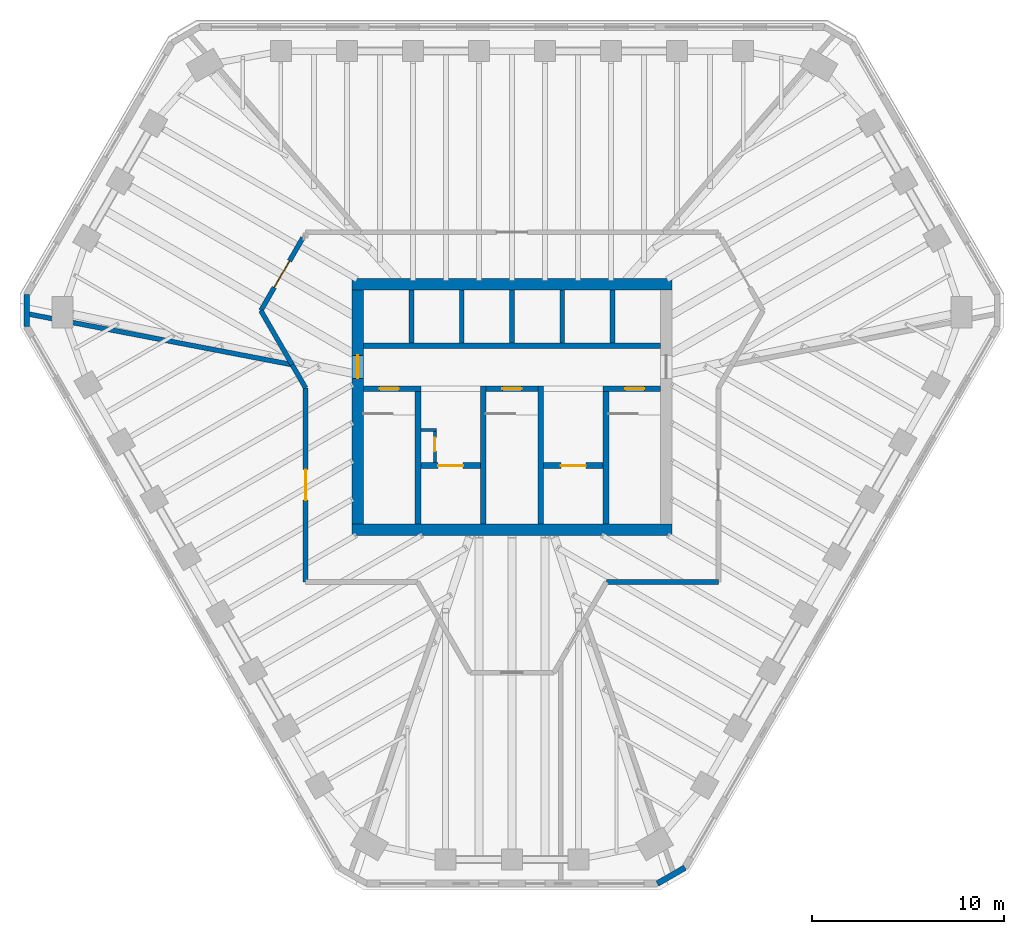
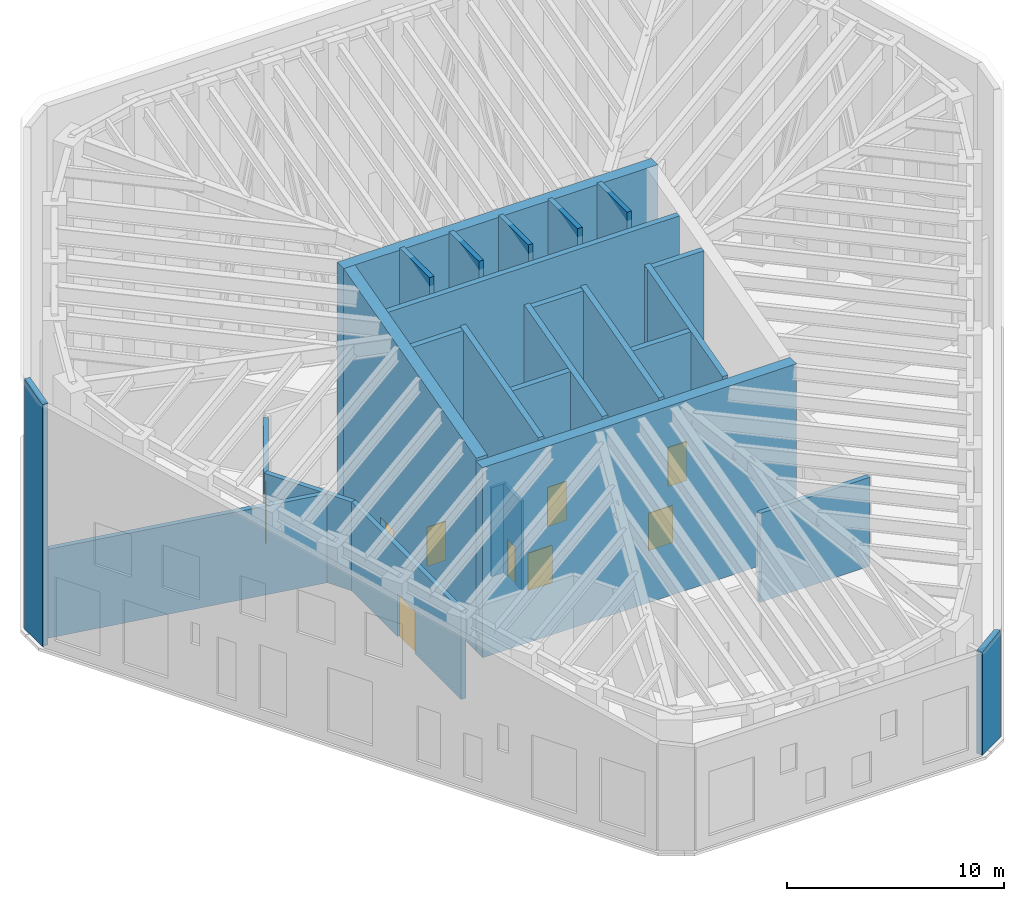
# One storey, part 5 of 9: 28 walls, 9 doors, 9 openings.
"""IFC4 building model written with IfcOpenShell, lengths in metres."""

from ifc_helpers import new_model, si_unit, direction, frame, frame_2d, origin, place, context, subcontext, project, spatial, polyline, rectangle, outline, extrude, material, layer, layer_set, type_object, element, fill, save


model = new_model("IFC4")

# Units and contexts
model_context = context("Model", 3, precision=1e-05, world=origin(), true_north=direction((0.0, 1.0)))
body_context = subcontext(model_context, "Body", "Model", "MODEL_VIEW")
ifc_project = project(units=[si_unit("LENGTHUNIT", "METRE"), si_unit("AREAUNIT", "SQUARE_METRE"), si_unit("VOLUMEUNIT", "CUBIC_METRE"), si_unit("PLANEANGLEUNIT", "RADIAN"), si_unit("MASSUNIT", "GRAM", prefix="KILO")], contexts=[model_context])

# Site, building, storey
site_placement = place(None, origin())
site = spatial("IfcSite", under=ifc_project, at=site_placement, CompositionType="ELEMENT")
building_placement = place(site_placement, origin())
building = spatial("IfcBuilding", under=site, at=building_placement, Name="Sandreach Pilgrim Tower", CompositionType="ELEMENT")
storey_placement = place(building_placement, frame((0.0, 0.0, 298.800048828125)))
storey = spatial("IfcBuildingStorey", under=building, at=storey_placement, Name="L75", CompositionType="ELEMENT", Elevation=298.800048828125)

# Walls
ifc_material_1 = material(Name="Concrete 10000 psi", Category="concrete")
ifc_layer_1 = layer(ifc_material_1, 0.300048828125)
ifc_layer_set_1 = layer_set([ifc_layer_1], Name="Core inner wall 300")
wall_type_1 = type_object("IfcWallType", Name="Core inner wall 300", PredefinedType="SHEAR", material=ifc_layer_set_1)
for number, where, z_axis, x_axis, name in (
    (1, (-4.89990234375, -6.10009765625, 0.0), (0.0, 0.0, 1.0), (0.0, 1.0, 0.0), "Core wall I0 L75"),
    (2, (-1.5, -6.10009765625, 0.0), (0.0, 0.0, 1.0), (0.0, 1.0, 0.0), "Core wall I1 L75"),
    (3, (1.5, -6.10009765625, 0.0), (0.0, 0.0, 1.0), (0.0, 1.0, 0.0), "Core wall I2 L75"),
    (4, (4.89990234375, -6.10009765625, 0.0), (0.0, 0.0, 1.0), (0.0, 1.0, 0.0), "Core wall I3 L75"),
):
    element("IfcWall", number, at=place(storey_placement, frame(where, z_axis=z_axis, x_axis=x_axis)), inside=storey, type_object=wall_type_1, Name=name, PredefinedType="SHEAR", context=body_context, shape_type="SweptSolid", body=[
        extrude(outline(polyline([(0.0, 0.0), (7.2001953125, 0.0), (7.199951171875, 12.77685546875), (0.0, 10.84765625), (0.0, 0.0)])), frame((0.0, 0.14990234375, 0.0), z_axis=(0.0, -1.0, 0.0), x_axis=(1.0, 0.0, 0.0)), (0.0, 0.0, 1.0), 0.300048828125),
    ])

# Wall, opening, door
wall_1_placement = place(storey_placement, frame((-7.75, 0.949951171875, 0.0), z_axis=(0.0, 0.0, 1.0), x_axis=(1.0, 0.0, 0.0)))
wall_1 = element("IfcWall", 5, at=wall_1_placement, inside=storey, type_object=wall_type_1, Name="Core wall SN1 L75", PredefinedType="SHEAR", context=body_context, shape_type="SweptSolid", body=[
    extrude(outline(polyline([(0.0, 0.0), (3.0, 0.0), (3.0, 12.696533203125), (0.0, 12.696533203125), (0.0, 0.0)])), frame((0.0, 0.14990234375, 0.0), z_axis=(0.0, -1.0, 0.0), x_axis=(1.0, 0.0, 0.0)), (0.0, 0.0, 1.0), 0.300048828125),
])
opening_1_placement = place(wall_1_placement, frame((0.85009765625, 0.0, 0.0)))
opening_1 = element("IfcOpeningElement", 6, at=opening_1_placement, cuts=wall_1, Name="Opening D10S-ST1", PredefinedType="OPENING", context=body_context, shape_type="SweptSolid", body=[
    extrude(rectangle(XDim=1.0, YDim=2.199951171875, at=frame_2d((0.5, 1.10009765625))), frame((0.0, 0.14990234375, 0.0), z_axis=(0.0, -1.0, 0.0), x_axis=(1.0, 0.0, 0.0)), (0.0, 0.0, 1.0), 0.300048828125),
])
ifc_material_2 = material(Name="Steel door and frame", Category="steel")
door_type_1 = type_object("IfcDoorType", Name="Stair door", OperationType="SINGLE_SWING_LEFT", PredefinedType="DOOR", material=ifc_material_2)
door_1_placement = place(opening_1_placement, origin())
door_1 = element("IfcDoor", 7, at=door_1_placement, inside=storey, type_object=door_type_1, Name="Stair door ST1 L75", OperationType="SINGLE_SWING_LEFT", OverallHeight=2.199951171875, OverallWidth=1.0, PredefinedType="DOOR", context=body_context, shape_type="SweptSolid", body=[
    extrude(rectangle(XDim=1.0, YDim=2.199951171875, at=frame_2d((0.5, 1.10009765625))), frame((0.0, 0.02490234375, 0.0), z_axis=(0.0, -1.0, 0.0), x_axis=(1.0, 0.0, 0.0)), (0.0, 0.0, 1.0), 0.050048828125),
])
fill(opening_1, door_1)

wall_2_placement = place(storey_placement, frame((-1.35009765625, 0.949951171875, 0.0), z_axis=(0.0, 0.0, 1.0), x_axis=(1.0, 0.0, 0.0)))
wall_2 = element("IfcWall", 8, at=wall_2_placement, inside=storey, type_object=wall_type_1, Name="Core wall SN3 L75", PredefinedType="SHEAR", context=body_context, shape_type="SweptSolid", body=[
    extrude(outline(polyline([(0.0, 0.0), (2.7001953125, 0.0), (2.699951171875, 12.696533203125), (0.0, 12.696533203125), (0.0, 0.0)])), frame((0.0, 0.14990234375, 0.0), z_axis=(0.0, -1.0, 0.0), x_axis=(1.0, 0.0, 0.0)), (0.0, 0.0, 1.0), 0.300048828125),
])
opening_2_placement = place(wall_2_placement, frame((0.85009765625, 0.0, 0.0)))
opening_2 = element("IfcOpeningElement", 9, at=opening_2_placement, cuts=wall_2, Name="Opening D10S-ST3", PredefinedType="OPENING", context=body_context, shape_type="SweptSolid", body=[
    extrude(rectangle(XDim=1.0, YDim=2.199951171875, at=frame_2d((0.5, 1.10009765625))), frame((0.0, 0.14990234375, 0.0), z_axis=(0.0, -1.0, 0.0), x_axis=(1.0, 0.0, 0.0)), (0.0, 0.0, 1.0), 0.300048828125),
])
door_2_placement = place(opening_2_placement, origin())
door_2 = element("IfcDoor", 10, at=door_2_placement, inside=storey, type_object=door_type_1, Name="Stair door ST3 L75", OperationType="SINGLE_SWING_LEFT", OverallHeight=2.199951171875, OverallWidth=1.0, PredefinedType="DOOR", context=body_context, shape_type="SweptSolid", body=[
    extrude(rectangle(XDim=1.0, YDim=2.199951171875, at=frame_2d((0.5, 1.10009765625))), frame((0.0, 0.02490234375, 0.0), z_axis=(0.0, -1.0, 0.0), x_axis=(1.0, 0.0, 0.0)), (0.0, 0.0, 1.0), 0.050048828125),
])
fill(opening_2, door_2)

wall_3_placement = place(storey_placement, frame((4.75, 0.949951171875, 0.0), z_axis=(0.0, 0.0, 1.0), x_axis=(1.0, 0.0, 0.0)))
wall_3 = element("IfcWall", 11, at=wall_3_placement, inside=storey, type_object=wall_type_1, Name="Core wall SN2 L75", PredefinedType="SHEAR", context=body_context, shape_type="SweptSolid", body=[
    extrude(outline(polyline([(0.0, 0.0), (3.0, 0.0), (3.0, 12.696533203125), (0.0, 12.696533203125), (0.0, 0.0)])), frame((0.0, 0.14990234375, 0.0), z_axis=(0.0, -1.0, 0.0), x_axis=(1.0, 0.0, 0.0)), (0.0, 0.0, 1.0), 0.300048828125),
])
opening_3_placement = place(wall_3_placement, frame((1.14990234375, 0.0, 0.0)))
opening_3 = element("IfcOpeningElement", 12, at=opening_3_placement, cuts=wall_3, Name="Opening D10S-ST2", PredefinedType="OPENING", context=body_context, shape_type="SweptSolid", body=[
    extrude(rectangle(XDim=1.0, YDim=2.199951171875, at=frame_2d((0.5, 1.10009765625))), frame((0.0, 0.14990234375, 0.0), z_axis=(0.0, -1.0, 0.0), x_axis=(1.0, 0.0, 0.0)), (0.0, 0.0, 1.0), 0.300048828125),
])
door_3_placement = place(opening_3_placement, origin())
door_3 = element("IfcDoor", 13, at=door_3_placement, inside=storey, type_object=door_type_1, Name="Stair door ST2 L75", OperationType="SINGLE_SWING_RIGHT", OverallHeight=2.199951171875, OverallWidth=1.0, PredefinedType="DOOR", context=body_context, shape_type="SweptSolid", body=[
    extrude(rectangle(XDim=1.0, YDim=2.199951171875, at=frame_2d((0.5, 1.10009765625))), frame((0.0, 0.02490234375, 0.0), z_axis=(0.0, -1.0, 0.0), x_axis=(1.0, 0.0, 0.0)), (0.0, 0.0, 1.0), 0.050048828125),
])
fill(opening_3, door_3)

wall_4_placement = place(storey_placement, frame((-4.75, -3.050048828125, 0.0), z_axis=(0.0, 0.0, 1.0), x_axis=(1.0, 0.0, 0.0)))
wall_4 = element("IfcWall", 14, at=wall_4_placement, inside=storey, type_object=wall_type_1, Name="Core wall FL1 L75", PredefinedType="SHEAR", context=body_context, shape_type="SweptSolid", body=[
    extrude(outline(polyline([(0.0, 0.0), (3.10009765625, 0.0), (3.10009765625, 11.624755859375), (0.0, 11.624755859375), (0.0, 0.0)])), frame((0.0, 0.14990234375, 0.0), z_axis=(0.0, -1.0, 0.0), x_axis=(1.0, 0.0, 0.0)), (0.0, 0.0, 1.0), 0.300048828125),
])
opening_4_placement = place(wall_4_placement, frame((0.89990234375, 0.0, 0.0)))
opening_4 = element("IfcOpeningElement", 15, at=opening_4_placement, cuts=wall_4, Name="Opening LD13", PredefinedType="OPENING", context=body_context, shape_type="SweptSolid", body=[
    extrude(rectangle(XDim=1.300048828125, YDim=2.10009765625, at=frame_2d((0.64990234375, 1.050048828125))), frame((0.0, 0.14990234375, 0.0), z_axis=(0.0, -1.0, 0.0), x_axis=(1.0, 0.0, 0.0)), (0.0, 0.0, 1.0), 0.300048828125),
])
ifc_material_3 = material(Name="Steel door and frame", Category="steel")
door_type_2 = type_object("IfcDoorType", Name="Fire service lift landing door", OperationType="DOUBLE_DOOR_SLIDING", PredefinedType="DOOR", material=ifc_material_3)
door_4_placement = place(opening_4_placement, origin())
door_4 = element("IfcDoor", 16, at=door_4_placement, inside=storey, type_object=door_type_2, Name="Lift landing door FS1 L75", OperationType="DOUBLE_DOOR_SLIDING", OverallHeight=2.10009765625, OverallWidth=1.300048828125, PredefinedType="DOOR", context=body_context, shape_type="SweptSolid", body=[
    extrude(rectangle(XDim=1.300048828125, YDim=2.10009765625, at=frame_2d((0.64990234375, 1.050048828125))), frame((0.0, 0.02490234375, 0.0), z_axis=(0.0, -1.0, 0.0), x_axis=(1.0, 0.0, 0.0)), (0.0, 0.0, 1.0), 0.050048828125),
])
fill(opening_4, door_4)

wall_5_placement = place(storey_placement, frame((1.64990234375, -3.050048828125, 0.0), z_axis=(0.0, 0.0, 1.0), x_axis=(1.0, 0.0, 0.0)))
wall_5 = element("IfcWall", 17, at=wall_5_placement, inside=storey, type_object=wall_type_1, Name="Core wall FL2 L75", PredefinedType="SHEAR", context=body_context, shape_type="SweptSolid", body=[
    extrude(outline(polyline([(0.0, 0.0), (3.10009765625, 0.0), (3.10009765625, 11.624755859375), (0.0, 11.624755859375), (0.0, 0.0)])), frame((0.0, 0.14990234375, 0.0), z_axis=(0.0, -1.0, 0.0), x_axis=(1.0, 0.0, 0.0)), (0.0, 0.0, 1.0), 0.300048828125),
])
opening_5_placement = place(wall_5_placement, frame((0.89990234375, 0.0, 0.0)))
opening_5 = element("IfcOpeningElement", 18, at=opening_5_placement, cuts=wall_5, Name="Opening LD13", PredefinedType="OPENING", context=body_context, shape_type="SweptSolid", body=[
    extrude(rectangle(XDim=1.300048828125, YDim=2.10009765625, at=frame_2d((0.64990234375, 1.050048828125))), frame((0.0, 0.14990234375, 0.0), z_axis=(0.0, -1.0, 0.0), x_axis=(1.0, 0.0, 0.0)), (0.0, 0.0, 1.0), 0.300048828125),
])
door_5_placement = place(opening_5_placement, origin())
door_5 = element("IfcDoor", 19, at=door_5_placement, inside=storey, type_object=door_type_2, Name="Lift landing door FS2 L75", OperationType="DOUBLE_DOOR_SLIDING", OverallHeight=2.10009765625, OverallWidth=1.300048828125, PredefinedType="DOOR", context=body_context, shape_type="SweptSolid", body=[
    extrude(rectangle(XDim=1.300048828125, YDim=2.10009765625, at=frame_2d((0.64990234375, 1.050048828125))), frame((0.0, 0.02490234375, 0.0), z_axis=(0.0, -1.0, 0.0), x_axis=(1.0, 0.0, 0.0)), (0.0, 0.0, 1.0), 0.050048828125),
])
fill(opening_5, door_5)

# Walls
wall_6_placement = place(storey_placement, frame((-7.75, 3.199951171875, 0.0), z_axis=(0.0, 0.0, 1.0), x_axis=(1.0, 0.0, 0.0)))
element("IfcWall", 20, at=wall_6_placement, inside=storey, type_object=wall_type_1, Name="Core wall PN L75", PredefinedType="SHEAR", context=body_context, shape_type="SweptSolid", body=[
    extrude(outline(polyline([(0.0, 0.0), (15.5, 0.0), (15.5, 13.299560546875), (0.0, 13.299560546875), (0.0, 0.0)])), frame((0.0, 0.14990234375, 0.0), z_axis=(0.0, -1.0, 0.0), x_axis=(1.0, 0.0, 0.0)), (0.0, 0.0, 1.0), 0.300048828125),
])
ifc_material_4 = material(Name="Concrete 10000 psi", Category="concrete")
ifc_layer_2 = layer(ifc_material_4, 0.60009765625)
ifc_layer_set_2 = layer_set([ifc_layer_2], Name="Core wall 600")
wall_type_2 = type_object("IfcWallType", Name="Core wall 600", PredefinedType="SHEAR", material=ifc_layer_set_2)
wall_7_placement = place(storey_placement, frame((-8.35009765625, 6.39990234375, 0.0), z_axis=(0.0, 0.0, 1.0), x_axis=(1.0, 0.0, 0.0)))
element("IfcWall", 21, at=wall_7_placement, inside=storey, type_object=wall_type_2, Name="Core wall N L75", PredefinedType="SHEAR", context=body_context, shape_type="SweptSolid", body=[
    extrude(outline(polyline([(0.0, 0.0), (16.7001953125, 0.0), (16.699951171875, 14.11669921875), (0.0, 14.11669921875), (0.0, 0.0)])), frame((0.0, 0.300048828125, 0.0), z_axis=(0.0, -1.0, 0.0), x_axis=(1.0, 0.0, 0.0)), (0.0, 0.0, 1.0), 0.60009765625),
])
wall_8_placement = place(storey_placement, frame((-8.35009765625, -6.39990234375, 0.0), z_axis=(0.0, 0.0, 1.0), x_axis=(1.0, 0.0, 0.0)))
element("IfcWall", 22, at=wall_8_placement, inside=storey, type_object=wall_type_2, Name="Core wall S L75", PredefinedType="SHEAR", context=body_context, shape_type="SweptSolid", body=[
    extrude(outline(polyline([(0.0, 0.0), (16.7001953125, 0.0), (16.699951171875, 10.68701171875), (0.0, 10.68701171875), (0.0, 0.0)])), frame((0.0, 0.300048828125, 0.0), z_axis=(0.0, -1.0, 0.0), x_axis=(1.0, 0.0, 0.0)), (0.0, 0.0, 1.0), 0.60009765625),
])

# Wall, opening, door
wall_9_placement = place(storey_placement, frame((-8.050048828125, -6.10009765625, 0.0), z_axis=(0.0, 0.0, 1.0), x_axis=(0.0, 1.0, 0.0)))
wall_9 = element("IfcWall", 23, at=wall_9_placement, inside=storey, type_object=wall_type_2, Name="Core wall W L75", PredefinedType="SHEAR", context=body_context, shape_type="SweptSolid", body=[
    extrude(outline(polyline([(0.0, 0.0), (12.2001953125, 0.0), (12.199951171875, 14.11669921875), (0.0, 10.84765625), (0.0, 0.0)])), frame((0.0, 0.300048828125, 0.0), z_axis=(0.0, -1.0, 0.0), x_axis=(1.0, 0.0, 0.0)), (0.0, 0.0, 1.0), 0.60009765625),
])
opening_6_placement = place(wall_9_placement, frame((7.60009765625, 0.0, 0.0)))
opening_6 = element("IfcOpeningElement", 24, at=opening_6_placement, cuts=wall_9, Name="Opening D12F-W", PredefinedType="OPENING", context=body_context, shape_type="SweptSolid", body=[
    extrude(rectangle(XDim=1.199951171875, YDim=2.199951171875, at=frame_2d((0.60009765625, 1.10009765625))), frame((0.0, 0.300048828125, 0.0), z_axis=(0.0, -1.0, 0.0), x_axis=(1.0, 0.0, 0.0)), (0.0, 0.0, 1.0), 0.60009765625),
])
ifc_material_5 = material(Name="Steel door and frame", Category="steel")
door_type_3 = type_object("IfcDoorType", Name="Fire lobby door", OperationType="SINGLE_SWING_LEFT", PredefinedType="DOOR", material=ifc_material_5)
door_6_placement = place(opening_6_placement, origin())
door_6 = element("IfcDoor", 25, at=door_6_placement, inside=storey, type_object=door_type_3, Name="Fire service lobby door W L75", OperationType="SINGLE_SWING_RIGHT", OverallHeight=2.199951171875, OverallWidth=1.199951171875, PredefinedType="DOOR", context=body_context, shape_type="SweptSolid", body=[
    extrude(rectangle(XDim=1.199951171875, YDim=2.199951171875, at=frame_2d((0.60009765625, 1.10009765625))), frame((0.0, 0.02490234375, 0.0), z_axis=(0.0, -1.0, 0.0), x_axis=(1.0, 0.0, 0.0)), (0.0, 0.0, 1.0), 0.050048828125),
])
fill(opening_6, door_6)

# Walls
ifc_material_6 = material(Name="Acoustic gypsum board wall, double frame", Category="gypsum")
ifc_layer_3 = layer(ifc_material_6, 0.25)
ifc_layer_set_3 = layer_set([ifc_layer_3], Name="Hall partition 250")
wall_type_3 = type_object("IfcWallType", Name="Hall partition 250", PredefinedType="PARTITIONING", material=ifc_layer_set_3)
wall_10_placement = place(storey_placement, frame((-25.183349609375, 4.84423828125, 0.0), z_axis=(0.0, 0.0, 1.0), x_axis=(0.982045084521, -0.188646367491, 0.0)))
element("IfcWall", 26, at=wall_10_placement, inside=storey, type_object=wall_type_3, Name="Hall partition L75-001", PredefinedType="PARTITIONING", context=body_context, shape_type="SweptSolid", body=[
    extrude(rectangle(XDim=13.964111328125, YDim=0.25, at=frame_2d((6.98193359375, 0.0))), origin(), (0.0, 0.0, 1.0), 5.0),
])
wall_11_placement = place(storey_placement, frame((-13.10009765625, 5.030029296875, 0.0), z_axis=(0.0, 0.0, 1.0), x_axis=(0.500451161177, -0.86576476902, 0.0)))
element("IfcWall", 27, at=wall_11_placement, inside=storey, type_object=wall_type_3, Name="Hall partition L75-002", PredefinedType="PARTITIONING", context=body_context, shape_type="SweptSolid", body=[
    extrude(rectangle(XDim=3.25732421875, YDim=0.25, at=frame_2d((1.628662109375, 0.0))), origin(), (0.0, 0.0, 1.0), 5.0),
])

# Wall, opening, door
wall_12_placement = place(storey_placement, frame((-10.909912109375, 8.830078125, 0.0), z_axis=(0.0, 0.0, 1.0), x_axis=(-0.499354574138, -0.866397720038, 0.0)))
wall_12 = element("IfcWall", 28, at=wall_12_placement, inside=storey, type_object=wall_type_3, Name="Hall partition L75-003", PredefinedType="PARTITIONING", context=body_context, shape_type="SweptSolid", body=[
    extrude(rectangle(XDim=4.385986328125, YDim=0.25, at=frame_2d((2.19287109375, 0.0))), origin(), (0.0, 0.0, 1.0), 5.0),
])
opening_7_placement = place(wall_12_placement, frame((1.39306640625, 0.0, 0.0)))
opening_7 = element("IfcOpeningElement", 29, at=opening_7_placement, cuts=wall_12, Name="Opening D16-06", PredefinedType="OPENING", context=body_context, shape_type="SweptSolid", body=[
    extrude(rectangle(XDim=1.60009765625, YDim=2.39990234375, at=frame_2d((0.800048828125, 1.199951171875))), frame((0.0, 0.125, 0.0), z_axis=(0.0, -1.0, 0.0), x_axis=(1.0, 0.0, 0.0)), (0.0, 0.0, 1.0), 0.25),
])
ifc_material_7 = material(Name="Steel door and frame", Category="steel")
door_type_4 = type_object("IfcDoorType", Name="Hall double door", OperationType="DOUBLE_DOOR_SINGLE_SWING", PredefinedType="DOOR", material=ifc_material_7)
door_7_placement = place(opening_7_placement, origin())
door_7 = element("IfcDoor", 30, at=door_7_placement, inside=storey, type_object=door_type_4, Name="Door 7506", OperationType="DOUBLE_DOOR_SINGLE_SWING", OverallHeight=2.39990234375, OverallWidth=1.60009765625, PredefinedType="DOOR", context=body_context, shape_type="SweptSolid", body=[
    extrude(rectangle(XDim=1.60009765625, YDim=2.39990234375, at=frame_2d((0.800048828125, 1.199951171875))), frame((0.0, 0.02490234375, 0.0), z_axis=(0.0, -1.0, 0.0), x_axis=(1.0, 0.0, 0.0)), (0.0, 0.0, 1.0), 0.050048828125),
])
fill(opening_7, door_7)

# Wall
wall_13_placement = place(storey_placement, frame((-10.77001953125, 1.0, 0.0), z_axis=(0.0, 0.0, 1.0), x_axis=(-0.500533627708, 0.865717094399, 0.0)))
element("IfcWall", 31, at=wall_13_placement, inside=storey, type_object=wall_type_3, Name="Hall partition L75-006", PredefinedType="PARTITIONING", context=body_context, shape_type="SweptSolid", body=[
    extrude(rectangle(XDim=1.39794921875, YDim=0.25, at=frame_2d((0.698974609375, 0.0))), origin(), (0.0, 0.0, 1.0), 5.0),
])

# Wall, opening, door
wall_14_placement = place(storey_placement, frame((-10.77001953125, 1.0, 0.0), z_axis=(0.0, 0.0, 1.0), x_axis=(0.0, -1.0, 0.0)))
wall_14 = element("IfcWall", 32, at=wall_14_placement, inside=storey, type_object=wall_type_3, Name="Hall partition L75-007", PredefinedType="PARTITIONING", context=body_context, shape_type="SweptSolid", body=[
    extrude(rectangle(XDim=10.1201171875, YDim=0.25, at=frame_2d((5.06005859375, 0.0))), origin(), (0.0, 0.0, 1.0), 5.0),
])
opening_8_placement = place(wall_14_placement, frame((4.260009765625, 0.0, 0.0)))
opening_8 = element("IfcOpeningElement", 33, at=opening_8_placement, cuts=wall_14, Name="Opening D16-05", PredefinedType="OPENING", context=body_context, shape_type="SweptSolid", body=[
    extrude(rectangle(XDim=1.60009765625, YDim=2.39990234375, at=frame_2d((0.800048828125, 1.199951171875))), frame((0.0, 0.125, 0.0), z_axis=(0.0, -1.0, 0.0), x_axis=(1.0, 0.0, 0.0)), (0.0, 0.0, 1.0), 0.25),
])
door_8_placement = place(opening_8_placement, origin())
door_8 = element("IfcDoor", 34, at=door_8_placement, inside=storey, type_object=door_type_4, Name="Door 7505", OperationType="DOUBLE_DOOR_SINGLE_SWING", OverallHeight=2.39990234375, OverallWidth=1.60009765625, PredefinedType="DOOR", context=body_context, shape_type="SweptSolid", body=[
    extrude(rectangle(XDim=1.60009765625, YDim=2.39990234375, at=frame_2d((0.800048828125, 1.199951171875))), frame((0.0, 0.02490234375, 0.0), z_axis=(0.0, -1.0, 0.0), x_axis=(1.0, 0.0, 0.0)), (0.0, 0.0, 1.0), 0.050048828125),
])
fill(opening_8, door_8)

# Wall
wall_15_placement = place(storey_placement, frame((4.929931640625, -9.1201171875, 0.0), z_axis=(0.0, 0.0, 1.0), x_axis=(1.0, 0.0, 0.0)))
element("IfcWall", 35, at=wall_15_placement, inside=storey, type_object=wall_type_3, Name="Hall partition L75-019", PredefinedType="PARTITIONING", context=body_context, shape_type="SweptSolid", body=[
    extrude(rectangle(XDim=5.840087890625, YDim=0.25, at=frame_2d((2.919921875, 0.0))), origin(), (0.0, 0.0, 1.0), 5.0),
])

# Wall, opening, door
ifc_material_8 = material(Name="Gypsum shaft wall on steel studs, shaft liner board", Category="steel")
ifc_layer_4 = layer(ifc_material_8, 0.14990234375)
ifc_layer_set_4 = layer_set([ifc_layer_4], Name="Riser shaft wall 150")
wall_type_4 = type_object("IfcWallType", Name="Riser shaft wall 150", PredefinedType="PARTITIONING", material=ifc_layer_set_4)
wall_16_placement = place(storey_placement, frame((-4.02490234375, -2.89990234375, 0.0), z_axis=(0.0, 0.0, 1.0), x_axis=(0.0, 1.0, 0.0)))
wall_16 = element("IfcWall", 36, at=wall_16_placement, inside=storey, type_object=wall_type_4, Name="Riser partition L75 side", PredefinedType="PARTITIONING", context=body_context, shape_type="SweptSolid", body=[
    extrude(rectangle(XDim=1.77490234375, YDim=0.14990234375, at=frame_2d((0.887451171875, 0.0))), origin(), (0.0, 0.0, 1.0), 5.0),
])
opening_9_placement = place(wall_16_placement, frame((0.60009765625, 0.0, 0.0)))
opening_9 = element("IfcOpeningElement", 37, at=opening_9_placement, cuts=wall_16, Name="Opening D07R", PredefinedType="OPENING", context=body_context, shape_type="SweptSolid", body=[
    extrude(rectangle(XDim=0.699951171875, YDim=2.10009765625, at=frame_2d((0.35009765625, 1.050048828125))), frame((0.0, 0.074951171875, 0.0), z_axis=(0.0, -1.0, 0.0), x_axis=(1.0, 0.0, 0.0)), (0.0, 0.0, 1.0), 0.14990234375),
])
ifc_material_9 = material(Name="Steel door and frame, smoke seals", Category="steel")
door_type_5 = type_object("IfcDoorType", Name="Riser access door", OperationType="SINGLE_SWING_RIGHT", PredefinedType="DOOR", material=ifc_material_9)
door_9_placement = place(opening_9_placement, origin())
door_9 = element("IfcDoor", 38, at=door_9_placement, inside=storey, type_object=door_type_5, Name="Door riser 75ER", OperationType="SINGLE_SWING_RIGHT", OverallHeight=2.10009765625, OverallWidth=0.699951171875, PredefinedType="DOOR", context=body_context, shape_type="SweptSolid", body=[
    extrude(rectangle(XDim=0.699951171875, YDim=2.10009765625, at=frame_2d((0.35009765625, 1.050048828125))), frame((0.0, 0.02490234375, 0.0), z_axis=(0.0, -1.0, 0.0), x_axis=(1.0, 0.0, 0.0)), (0.0, 0.0, 1.0), 0.050048828125),
])
fill(opening_9, door_9)

# Walls
wall_17_placement = place(storey_placement, frame((-4.75, -1.199951171875, 0.0), z_axis=(0.0, 0.0, 1.0), x_axis=(1.0, 0.0, 0.0)))
element("IfcWall", 39, at=wall_17_placement, inside=storey, type_object=wall_type_4, Name="Riser partition L75 front", PredefinedType="PARTITIONING", context=body_context, shape_type="SweptSolid", body=[
    extrude(rectangle(XDim=0.800048828125, YDim=0.14990234375, at=frame_2d((0.39990234375, 0.0))), origin(), (0.0, 0.0, 1.0), 5.0),
])
ifc_material_10 = material(Name="Gypsum shaft wall on steel studs, two layers of shaft liner board", Category="steel")
ifc_layer_5 = layer(ifc_material_10, 0.25)
ifc_layer_set_5 = layer_set([ifc_layer_5], Name="Shaft partition 250")
wall_type_5 = type_object("IfcWallType", Name="Shaft partition 250", PredefinedType="PARTITIONING", material=ifc_layer_set_5)
for number, where, z_axis, x_axis, name in (
    (40, (-5.25, 3.35009765625, 0.0), (0.0, 0.0, 1.0), (0.0, 1.0, 0.0), "Shaft partition NS0 L75"),
    (41, (-2.625, 3.35009765625, 0.0), (0.0, 0.0, 1.0), (0.0, 1.0, 0.0), "Shaft partition NS1 L75"),
    (42, (0.0, 3.35009765625, 0.0), (0.0, 0.0, 1.0), (0.0, 1.0, 0.0), "Shaft partition NS2 L75"),
    (43, (2.625, 3.35009765625, 0.0), (0.0, 0.0, 1.0), (0.0, 1.0, 0.0), "Shaft partition NS3 L75"),
    (44, (5.25, 3.35009765625, 0.0), (0.0, 0.0, 1.0), (0.0, 1.0, 0.0), "Shaft partition NS4 L75"),
):
    element("IfcWall", number, at=place(storey_placement, frame(where, z_axis=z_axis, x_axis=x_axis)), inside=storey, type_object=wall_type_5, Name=name, PredefinedType="PARTITIONING", context=body_context, shape_type="SweptSolid", body=[
        extrude(rectangle(XDim=2.75, YDim=0.25, at=frame_2d((1.375, 0.0))), origin(), (0.0, 0.0, 1.0), 14.232666015625),
    ])
ifc_material_11 = material(Name="Terracotta rainscreen on concrete", Category="masonry")
ifc_layer_6 = layer(ifc_material_11, 0.300048828125)
ifc_layer_set_6 = layer_set([ifc_layer_6], Name="Terracotta chamfer pier")
wall_type_6 = type_object("IfcWallType", Name="Terracotta chamfer pier", PredefinedType="SOLIDWALL", material=ifc_layer_set_6)
wall_18_placement = place(storey_placement, frame((9.02099609375, -24.028076171875, 0.0), z_axis=(0.0, 0.0, 1.0), x_axis=(-0.865989634427, -0.500061949227, 0.0)))
element("IfcWall", 45, at=wall_18_placement, inside=storey, type_object=wall_type_6, Name="Chamfer pier L75 SE", PredefinedType="SOLIDWALL", context=body_context, shape_type="SweptSolid", body=[
    extrude(outline(polyline([(0.0, 0.0), (1.659912109375, 0.0), (1.659912109375, 5.78662109375), (0.0, 6.009033203125), (0.0, 0.0)])), frame((0.0, 0.14990234375, 0.0), z_axis=(0.0, -1.0, 0.0), x_axis=(1.0, 0.0, 0.0)), (0.0, 0.0, 1.0), 0.300048828125),
])
wall_19_placement = place(storey_placement, frame((-25.3193359375, 4.20166015625, 0.0), z_axis=(0.0, 0.0, 1.0), x_axis=(0.0, 1.0, 0.0)))
element("IfcWall", 46, at=wall_19_placement, inside=storey, type_object=wall_type_6, Name="Chamfer pier L75 SW", PredefinedType="SOLIDWALL", context=body_context, shape_type="SweptSolid", body=[
    extrude(outline(polyline([(0.0, 0.0), (1.659912109375, 0.0), (1.659912109375, 14.052734375), (0.0, 13.60791015625), (0.0, 0.0)])), frame((0.0, 0.14990234375, 0.0), z_axis=(0.0, -1.0, 0.0), x_axis=(1.0, 0.0, 0.0)), (0.0, 0.0, 1.0), 0.300048828125),
])

save(model, "model.ifc")
